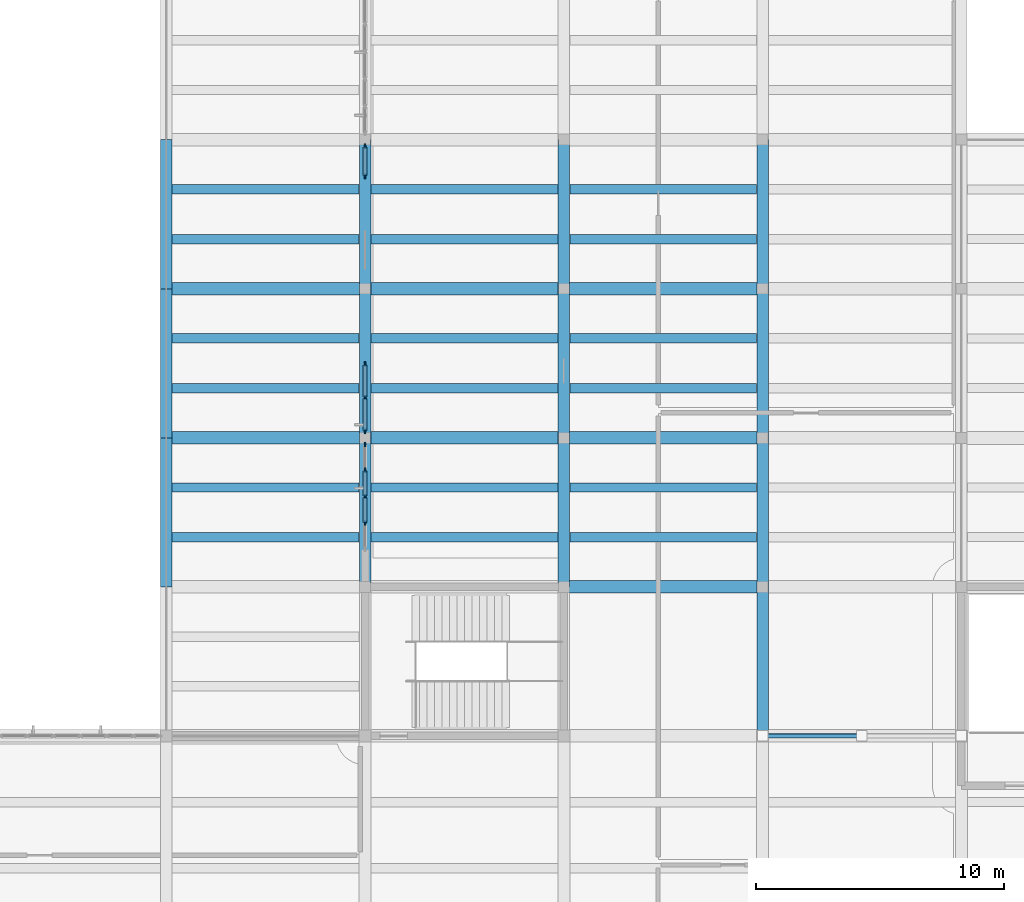
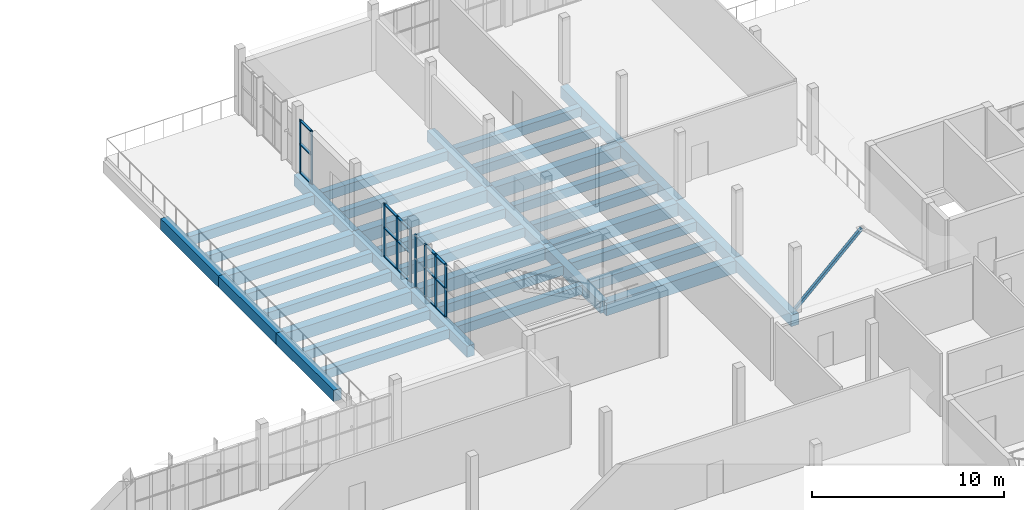
# One storey, part 20 of 70: 38 beams, 25 members, 3 elements without a shape of their own.
"""IFC4 building model written with IfcOpenShell, lengths in metres."""

from ifc_helpers import new_model, si_unit, direction, frame, origin, origin_2d, place, context, subcontext, project, spatial, rectangle, hollow_rectangle, extrude, material, layer, layer_set, material_profile, profile_set, type_object, element, aggregate, save


model = new_model("IFC4")

# Units and contexts
model_context = context("Model", 3, precision=1e-05, world=origin(), true_north=direction((0.0, 1.0)))
body_context = subcontext(model_context, "Body", "Model", "MODEL_VIEW")
ifc_project = project(units=[si_unit("LENGTHUNIT", "METRE"), si_unit("AREAUNIT", "SQUARE_METRE"), si_unit("VOLUMEUNIT", "CUBIC_METRE"), si_unit("PLANEANGLEUNIT", "RADIAN"), si_unit("MASSUNIT", "GRAM", prefix="KILO")], contexts=[model_context])

# Site, building, storey
site_placement = place(None, origin())
site = spatial("IfcSite", under=ifc_project, at=site_placement, CompositionType="ELEMENT")
building_placement = place(site_placement, origin())
building = spatial("IfcBuilding", under=site, at=building_placement, Name="Solvane Community Centre", CompositionType="ELEMENT")
storey_placement = place(building_placement, frame((0.0, 0.0, 9.60009765625)))
storey = spatial("IfcBuildingStorey", under=building, at=storey_placement, Name="L02", CompositionType="ELEMENT", Elevation=9.60009765625)

# Curtain wall, members
ifc_material_1 = material(Name="Anodised bronze aluminium AW-6063 T6", Category="aluminium")
ifc_layer_1 = layer(ifc_material_1, 0.18994140625)
ifc_layer_set_1 = layer_set([ifc_layer_1], Name="Anodised bronze aluminium AW-6063 T6")
curtain_wall_type_1 = type_object("IfcCurtainWallType", Name="Boulevard Bronze Vision Curtain Wall [43x33dm]", PredefinedType="NOTDEFINED", material=ifc_layer_set_1)
curtain_wall_1_placement = place(storey_placement, origin())
curtain_wall_1 = element("IfcCurtainWall", 1, at=curtain_wall_1_placement, inside=storey, type_object=curtain_wall_type_1, Name="Curtain Wall CW-L02-1160_375-196", PredefinedType="NOTDEFINED")
ifc_material_profile_1 = material_profile(ifc_material_1, rectangle(XDim=0.06005859375, YDim=0.18994140625, at=origin_2d()), Name="CW-M 60x190")
ifc_profile_set_1 = profile_set([ifc_material_profile_1], Name="Anodised bronze aluminium AW-6063 T6")
member_type_1 = type_object("IfcMemberType", Name="Boulevard Mullion 60x190", PredefinedType="MULLION", material=ifc_profile_set_1)
member_1_placement = place(storey_placement, frame((116.0, 38.566162109375, 0.0), z_axis=(0.0, 0.0, 1.0), x_axis=(-1.0, 0.0, 0.0)))
member_1 = element("IfcMember", 2, at=member_1_placement, type_object=member_type_1, Name="CW02-43x33 mullion 2", PredefinedType="MULLION", context=body_context, shape_type="SweptSolid", body=[
    extrude(rectangle(XDim=0.06005859375, YDim=0.18994140625, at=origin_2d()), origin(), (0.0, 0.0, 1.0), 3.344970703125),
])
member_2_placement = place(storey_placement, frame((116.0, 39.632568359375, 0.0), z_axis=(0.0, 0.0, 1.0), x_axis=(-1.0, 0.0, 0.0)))
member_2 = element("IfcMember", 3, at=member_2_placement, type_object=member_type_1, Name="CW02-43x33 mullion 3", PredefinedType="MULLION", context=body_context, shape_type="SweptSolid", body=[
    extrude(rectangle(XDim=0.06005859375, YDim=0.18994140625, at=origin_2d()), origin(), (0.0, 0.0, 1.0), 3.344970703125),
])
member_3_placement = place(storey_placement, frame((116.0, 40.69873046875, 0.0), z_axis=(0.0, 0.0, 1.0), x_axis=(-1.0, 0.0, 0.0)))
member_3 = element("IfcMember", 4, at=member_3_placement, type_object=member_type_1, Name="CW02-43x33 mullion 4", PredefinedType="MULLION", context=body_context, shape_type="SweptSolid", body=[
    extrude(rectangle(XDim=0.06005859375, YDim=0.18994140625, at=origin_2d()), origin(), (0.0, 0.0, 1.0), 3.344970703125),
])
member_4_placement = place(storey_placement, frame((116.0, 41.735107421875, 0.0), z_axis=(0.0, 0.0, 1.0), x_axis=(-1.0, 0.0, 0.0)))
member_4 = element("IfcMember", 5, at=member_4_placement, type_object=member_type_1, Name="CW02-43x33 mullion 5", PredefinedType="MULLION", context=body_context, shape_type="SweptSolid", body=[
    extrude(rectangle(XDim=0.06005859375, YDim=0.18994140625, at=origin_2d()), origin(), (0.0, 0.0, 1.0), 3.344970703125),
])

ifc_layer_2 = layer(ifc_material_1, 0.18994140625)
ifc_layer_set_2 = layer_set([ifc_layer_2], Name="Anodised bronze aluminium AW-6063 T6")
curtain_wall_type_2 = type_object("IfcCurtainWallType", Name="Boulevard Bronze Vision Curtain Wall [28x33dm]", PredefinedType="NOTDEFINED", material=ifc_layer_set_2)
curtain_wall_2_placement = place(storey_placement, origin())
curtain_wall_2 = element("IfcCurtainWall", 6, at=curtain_wall_2_placement, inside=storey, type_object=curtain_wall_type_2, Name="Curtain Wall CW-L02-1160_422-197", PredefinedType="NOTDEFINED")
member_5_placement = place(storey_placement, frame((116.0, 42.264892578125, 0.0), z_axis=(0.0, 0.0, 1.0), x_axis=(-1.0, 0.0, 0.0)))
member_5 = element("IfcMember", 7, at=member_5_placement, type_object=member_type_1, Name="CW02-28x33 mullion 1", PredefinedType="MULLION", context=body_context, shape_type="SweptSolid", body=[
    extrude(rectangle(XDim=0.06005859375, YDim=0.18994140625, at=origin_2d()), origin(), (0.0, 0.0, 1.0), 3.344970703125),
])
member_6_placement = place(storey_placement, frame((116.0, 43.617431640625, 0.0), z_axis=(0.0, 0.0, 1.0), x_axis=(-1.0, 0.0, 0.0)))
member_6 = element("IfcMember", 8, at=member_6_placement, type_object=member_type_1, Name="CW02-28x33 mullion 2", PredefinedType="MULLION", context=body_context, shape_type="SweptSolid", body=[
    extrude(rectangle(XDim=0.06005859375, YDim=0.18994140625, at=origin_2d()), origin(), (0.0, 0.0, 1.0), 3.344970703125),
])
member_7_placement = place(storey_placement, frame((116.0, 44.969970703125, 0.0), z_axis=(0.0, 0.0, 1.0), x_axis=(-1.0, 0.0, 0.0)))
member_7 = element("IfcMember", 9, at=member_7_placement, type_object=member_type_1, Name="CW02-28x33 mullion 3", PredefinedType="MULLION", context=body_context, shape_type="SweptSolid", body=[
    extrude(rectangle(XDim=0.06005859375, YDim=0.18994140625, at=origin_2d()), origin(), (0.0, 0.0, 1.0), 3.344970703125),
])

ifc_layer_3 = layer(ifc_material_1, 0.18994140625)
ifc_layer_set_3 = layer_set([ifc_layer_3], Name="Anodised bronze aluminium AW-6063 T6")
curtain_wall_type_3 = type_object("IfcCurtainWallType", Name="Boulevard Bronze Vision Curtain Wall [13x33dm]", PredefinedType="NOTDEFINED", material=ifc_layer_set_3)
curtain_wall_3_placement = place(storey_placement, origin())
curtain_wall_3 = element("IfcCurtainWall", 10, at=curtain_wall_3_placement, inside=storey, type_object=curtain_wall_type_3, Name="Curtain Wall CW-L02-1160_525-198", PredefinedType="NOTDEFINED")
member_8_placement = place(storey_placement, frame((116.0, 52.530029296875, 0.0), z_axis=(0.0, 0.0, 1.0), x_axis=(-1.0, 0.0, 0.0)))
member_8 = element("IfcMember", 11, at=member_8_placement, type_object=member_type_1, Name="CW02-13x33 mullion 1", PredefinedType="MULLION", context=body_context, shape_type="SweptSolid", body=[
    extrude(rectangle(XDim=0.06005859375, YDim=0.18994140625, at=origin_2d()), origin(), (0.0, 0.0, 1.0), 3.344970703125),
])
member_9_placement = place(storey_placement, frame((116.0, 53.735107421875, 0.0), z_axis=(0.0, 0.0, 1.0), x_axis=(-1.0, 0.0, 0.0)))
member_9 = element("IfcMember", 12, at=member_9_placement, type_object=member_type_1, Name="CW02-13x33 mullion 2", PredefinedType="MULLION", context=body_context, shape_type="SweptSolid", body=[
    extrude(rectangle(XDim=0.06005859375, YDim=0.18994140625, at=origin_2d()), origin(), (0.0, 0.0, 1.0), 3.344970703125),
])

# Member
ifc_material_profile_2 = material_profile(ifc_material_1, rectangle(XDim=0.14990234375, YDim=0.06005859375, at=origin_2d()), Name="CW-T 60x150")
ifc_profile_set_2 = profile_set([ifc_material_profile_2], Name="Anodised bronze aluminium AW-6063 T6")
member_type_2 = type_object("IfcMemberType", Name="Boulevard Transom 60x150", PredefinedType="USERDEFINED", material=ifc_profile_set_2)
member_10_placement = place(storey_placement, frame((116.0, 38.59619140625, 0.02978515625), z_axis=(0.0, 1.0, 0.0), x_axis=(-1.0, 0.0, 0.0)))
member_10 = element("IfcMember", 13, at=member_10_placement, type_object=member_type_2, Name="CW02-43x33 transom 2.1", ObjectType="TRANSOM", PredefinedType="USERDEFINED", context=body_context, shape_type="SweptSolid", body=[
    extrude(rectangle(XDim=0.14990234375, YDim=0.06005859375, at=origin_2d()), origin(), (0.0, 0.0, 1.0), 1.00634765625),
])

member_11_placement = place(storey_placement, frame((116.0, 38.59619140625, 1.83984375), z_axis=(0.0, 1.0, 0.0), x_axis=(-1.0, 0.0, 0.0)))
member_11 = element("IfcMember", 14, at=member_11_placement, type_object=member_type_2, Name="CW02-43x33 transom 2.2", ObjectType="TRANSOM", PredefinedType="USERDEFINED", context=body_context, shape_type="SweptSolid", body=[
    extrude(rectangle(XDim=0.14990234375, YDim=0.06005859375, at=origin_2d()), origin(), (0.0, 0.0, 1.0), 1.00634765625),
])

member_12_placement = place(storey_placement, frame((116.0, 38.59619140625, 3.31494140625), z_axis=(0.0, 1.0, 0.0), x_axis=(-1.0, 0.0, 0.0)))
member_12 = element("IfcMember", 15, at=member_12_placement, type_object=member_type_2, Name="CW02-43x33 transom 2.3", ObjectType="TRANSOM", PredefinedType="USERDEFINED", context=body_context, shape_type="SweptSolid", body=[
    extrude(rectangle(XDim=0.14990234375, YDim=0.06005859375, at=origin_2d()), origin(), (0.0, 0.0, 1.0), 1.00634765625),
])

member_13_placement = place(storey_placement, frame((116.0, 39.66259765625, 0.02978515625), z_axis=(0.0, 1.0, 0.0), x_axis=(-1.0, 0.0, 0.0)))
member_13 = element("IfcMember", 16, at=member_13_placement, type_object=member_type_2, Name="CW02-43x33 transom 3.1", ObjectType="TRANSOM", PredefinedType="USERDEFINED", context=body_context, shape_type="SweptSolid", body=[
    extrude(rectangle(XDim=0.14990234375, YDim=0.06005859375, at=origin_2d()), origin(), (0.0, 0.0, 1.0), 1.006103515625),
])

member_14_placement = place(storey_placement, frame((116.0, 39.66259765625, 1.83984375), z_axis=(0.0, 1.0, 0.0), x_axis=(-1.0, 0.0, 0.0)))
member_14 = element("IfcMember", 17, at=member_14_placement, type_object=member_type_2, Name="CW02-43x33 transom 3.2", ObjectType="TRANSOM", PredefinedType="USERDEFINED", context=body_context, shape_type="SweptSolid", body=[
    extrude(rectangle(XDim=0.14990234375, YDim=0.06005859375, at=origin_2d()), origin(), (0.0, 0.0, 1.0), 1.006103515625),
])

member_15_placement = place(storey_placement, frame((116.0, 39.66259765625, 3.31494140625), z_axis=(0.0, 1.0, 0.0), x_axis=(-1.0, 0.0, 0.0)))
member_15 = element("IfcMember", 18, at=member_15_placement, type_object=member_type_2, Name="CW02-43x33 transom 3.3", ObjectType="TRANSOM", PredefinedType="USERDEFINED", context=body_context, shape_type="SweptSolid", body=[
    extrude(rectangle(XDim=0.14990234375, YDim=0.06005859375, at=origin_2d()), origin(), (0.0, 0.0, 1.0), 1.006103515625),
])

aggregate(curtain_wall_1, [member_1, member_2, member_3, member_4, member_10, member_11, member_12, member_13, member_14, member_15])

member_16_placement = place(storey_placement, frame((116.0, 42.294921875, 0.02978515625), z_axis=(0.0, 1.0, 0.0), x_axis=(-1.0, 0.0, 0.0)))
member_16 = element("IfcMember", 19, at=member_16_placement, type_object=member_type_2, Name="CW02-28x33 transom 1.1", ObjectType="TRANSOM", PredefinedType="USERDEFINED", context=body_context, shape_type="SweptSolid", body=[
    extrude(rectangle(XDim=0.14990234375, YDim=0.06005859375, at=origin_2d()), origin(), (0.0, 0.0, 1.0), 1.29248046875),
])

member_17_placement = place(storey_placement, frame((116.0, 42.294921875, 1.83984375), z_axis=(0.0, 1.0, 0.0), x_axis=(-1.0, 0.0, 0.0)))
member_17 = element("IfcMember", 20, at=member_17_placement, type_object=member_type_2, Name="CW02-28x33 transom 1.2", ObjectType="TRANSOM", PredefinedType="USERDEFINED", context=body_context, shape_type="SweptSolid", body=[
    extrude(rectangle(XDim=0.14990234375, YDim=0.06005859375, at=origin_2d()), origin(), (0.0, 0.0, 1.0), 1.29248046875),
])

member_18_placement = place(storey_placement, frame((116.0, 42.294921875, 3.31494140625), z_axis=(0.0, 1.0, 0.0), x_axis=(-1.0, 0.0, 0.0)))
member_18 = element("IfcMember", 21, at=member_18_placement, type_object=member_type_2, Name="CW02-28x33 transom 1.3", ObjectType="TRANSOM", PredefinedType="USERDEFINED", context=body_context, shape_type="SweptSolid", body=[
    extrude(rectangle(XDim=0.14990234375, YDim=0.06005859375, at=origin_2d()), origin(), (0.0, 0.0, 1.0), 1.29248046875),
])

member_19_placement = place(storey_placement, frame((116.0, 43.6474609375, 0.02978515625), z_axis=(0.0, 1.0, 0.0), x_axis=(-1.0, 0.0, 0.0)))
member_19 = element("IfcMember", 22, at=member_19_placement, type_object=member_type_2, Name="CW02-28x33 transom 2.1", ObjectType="TRANSOM", PredefinedType="USERDEFINED", context=body_context, shape_type="SweptSolid", body=[
    extrude(rectangle(XDim=0.14990234375, YDim=0.06005859375, at=origin_2d()), origin(), (0.0, 0.0, 1.0), 1.29248046875),
])

member_20_placement = place(storey_placement, frame((116.0, 43.6474609375, 1.83984375), z_axis=(0.0, 1.0, 0.0), x_axis=(-1.0, 0.0, 0.0)))
member_20 = element("IfcMember", 23, at=member_20_placement, type_object=member_type_2, Name="CW02-28x33 transom 2.2", ObjectType="TRANSOM", PredefinedType="USERDEFINED", context=body_context, shape_type="SweptSolid", body=[
    extrude(rectangle(XDim=0.14990234375, YDim=0.06005859375, at=origin_2d()), origin(), (0.0, 0.0, 1.0), 1.29248046875),
])

member_21_placement = place(storey_placement, frame((116.0, 43.6474609375, 3.31494140625), z_axis=(0.0, 1.0, 0.0), x_axis=(-1.0, 0.0, 0.0)))
member_21 = element("IfcMember", 24, at=member_21_placement, type_object=member_type_2, Name="CW02-28x33 transom 2.3", ObjectType="TRANSOM", PredefinedType="USERDEFINED", context=body_context, shape_type="SweptSolid", body=[
    extrude(rectangle(XDim=0.14990234375, YDim=0.06005859375, at=origin_2d()), origin(), (0.0, 0.0, 1.0), 1.29248046875),
])

aggregate(curtain_wall_2, [member_5, member_6, member_7, member_16, member_17, member_18, member_19, member_20, member_21])

member_22_placement = place(storey_placement, frame((116.0, 52.56005859375, 0.02978515625), z_axis=(0.0, 1.0, 0.0), x_axis=(-1.0, 0.0, 0.0)))
member_22 = element("IfcMember", 25, at=member_22_placement, type_object=member_type_2, Name="CW02-13x33 transom 1.1", ObjectType="TRANSOM", PredefinedType="USERDEFINED", context=body_context, shape_type="SweptSolid", body=[
    extrude(rectangle(XDim=0.14990234375, YDim=0.06005859375, at=origin_2d()), origin(), (0.0, 0.0, 1.0), 1.14501953125),
])

member_23_placement = place(storey_placement, frame((116.0, 52.56005859375, 1.83984375), z_axis=(0.0, 1.0, 0.0), x_axis=(-1.0, 0.0, 0.0)))
member_23 = element("IfcMember", 26, at=member_23_placement, type_object=member_type_2, Name="CW02-13x33 transom 1.2", ObjectType="TRANSOM", PredefinedType="USERDEFINED", context=body_context, shape_type="SweptSolid", body=[
    extrude(rectangle(XDim=0.14990234375, YDim=0.06005859375, at=origin_2d()), origin(), (0.0, 0.0, 1.0), 1.14501953125),
])

member_24_placement = place(storey_placement, frame((116.0, 52.56005859375, 3.31494140625), z_axis=(0.0, 1.0, 0.0), x_axis=(-1.0, 0.0, 0.0)))
member_24 = element("IfcMember", 27, at=member_24_placement, type_object=member_type_2, Name="CW02-13x33 transom 1.3", ObjectType="TRANSOM", PredefinedType="USERDEFINED", context=body_context, shape_type="SweptSolid", body=[
    extrude(rectangle(XDim=0.14990234375, YDim=0.06005859375, at=origin_2d()), origin(), (0.0, 0.0, 1.0), 1.14501953125),
])

aggregate(curtain_wall_3, [member_8, member_9, member_22, member_23, member_24])

# Beams
ifc_material_2 = material(Name="Concrete C35/45", Category="concrete")
ifc_material_profile_3 = material_profile(ifc_material_2, rectangle(XDim=0.4599609375, YDim=0.719970703125, at=origin_2d()), Name="RC 460x720")
ifc_profile_set_3 = profile_set([ifc_material_profile_3], Name="Concrete C35/45")
beam_type_1 = type_object("IfcBeamType", Name="RC Cloister Beam 460x720", PredefinedType="BEAM", material=ifc_profile_set_3)
for number, where, z_axis, x_axis, name in (
    (28, (108.0, 36.0, -0.580078125), (0.0, 1.0, 0.0), (-1.0, 0.0, 0.0), "Beam BM-L02-1080_360-1080_420"),
    (29, (108.0, 42.0, -0.580078125), (0.0, 1.0, 0.0), (-1.0, 0.0, 0.0), "Beam BM-L02-1080_420-1080_480"),
    (30, (108.0, 48.0, -0.580078125), (0.0, 1.0, 0.0), (-1.0, 0.0, 0.0), "Beam BM-L02-1080_480-1080_540"),
    (31, (116.0, 36.0, -0.580078125), (0.0, 1.0, 0.0), (-1.0, 0.0, 0.0), "Beam BM-L02-1160_360-1160_420"),
    (32, (116.0, 42.0, -0.580078125), (0.0, 1.0, 0.0), (-1.0, 0.0, 0.0), "Beam BM-L02-1160_420-1160_480"),
    (33, (116.0, 48.0, -0.580078125), (0.0, 1.0, 0.0), (-1.0, 0.0, 0.0), "Beam BM-L02-1160_480-1160_540"),
    (34, (124.0, 36.0, -0.580078125), (0.0, 1.0, 0.0), (-1.0, 0.0, 0.0), "Beam BM-L02-1240_360-1240_420"),
    (35, (124.0, 42.0, -0.580078125), (0.0, 1.0, 0.0), (-1.0, 0.0, 0.0), "Beam BM-L02-1240_420-1240_480"),
    (36, (124.0, 48.0, -0.580078125), (0.0, 1.0, 0.0), (-1.0, 0.0, 0.0), "Beam BM-L02-1240_480-1240_540"),
    (37, (132.0, 30.0, -0.580078125), (0.0, 1.0, 0.0), (-1.0, 0.0, 0.0), "Beam BM-L02-1320_300-1320_360"),
    (38, (132.0, 36.0, -0.580078125), (0.0, 1.0, 0.0), (-1.0, 0.0, 0.0), "Beam BM-L02-1320_360-1320_420"),
    (39, (132.0, 42.0, -0.580078125), (0.0, 1.0, 0.0), (-1.0, 0.0, 0.0), "Beam BM-L02-1320_420-1320_480"),
    (40, (132.0, 48.0, -0.580078125), (0.0, 1.0, 0.0), (-1.0, 0.0, 0.0), "Beam BM-L02-1320_480-1320_540"),
):
    element("IfcBeam", number, at=place(storey_placement, frame(where, z_axis=z_axis, x_axis=x_axis)), inside=storey, type_object=beam_type_1, Name=name, PredefinedType="BEAM", context=body_context, shape_type="SweptSolid", body=[
        extrude(rectangle(XDim=0.4599609375, YDim=0.719970703125, at=origin_2d()), origin(), (0.0, 0.0, 1.0), 6.0),
    ])
ifc_material_profile_4 = material_profile(ifc_material_2, rectangle(XDim=0.5, YDim=0.800048828125, at=origin_2d()), Name="RC 500x800")
ifc_profile_set_4 = profile_set([ifc_material_profile_4], Name="Concrete C35/45")
beam_type_2 = type_object("IfcBeamType", Name="RC Primary Girder 500x800", PredefinedType="USERDEFINED", material=ifc_profile_set_4)
for number, where, z_axis, x_axis, name in (
    (41, (124.0, 36.0, -0.6201171875), (1.0, 0.0, 0.0), (0.0, 1.0, 0.0), "Beam BM-L02-1240_360-1320_360"),
    (42, (108.0, 42.0, -0.6201171875), (1.0, 0.0, 0.0), (0.0, 1.0, 0.0), "Beam BM-L02-1080_420-1160_420"),
    (43, (116.0, 42.0, -0.6201171875), (1.0, 0.0, 0.0), (0.0, 1.0, 0.0), "Beam BM-L02-1160_420-1240_420"),
    (44, (124.0, 42.0, -0.6201171875), (1.0, 0.0, 0.0), (0.0, 1.0, 0.0), "Beam BM-L02-1240_420-1320_420"),
    (45, (108.0, 48.0, -0.6201171875), (1.0, 0.0, 0.0), (0.0, 1.0, 0.0), "Beam BM-L02-1080_480-1160_480"),
    (46, (116.0, 48.0, -0.6201171875), (1.0, 0.0, 0.0), (0.0, 1.0, 0.0), "Beam BM-L02-1160_480-1240_480"),
    (47, (124.0, 48.0, -0.6201171875), (1.0, 0.0, 0.0), (0.0, 1.0, 0.0), "Beam BM-L02-1240_480-1320_480"),
):
    element("IfcBeam", number, at=place(storey_placement, frame(where, z_axis=z_axis, x_axis=x_axis)), inside=storey, type_object=beam_type_2, Name=name, ObjectType="GIRDER", PredefinedType="USERDEFINED", context=body_context, shape_type="SweptSolid", body=[
        extrude(rectangle(XDim=0.5, YDim=0.800048828125, at=origin_2d()), origin(), (0.0, 0.0, 1.0), 8.0),
    ])
ifc_material_profile_5 = material_profile(ifc_material_2, rectangle(XDim=0.3798828125, YDim=0.580078125, at=origin_2d()), Name="RC 380x580")
ifc_profile_set_5 = profile_set([ifc_material_profile_5], Name="Concrete C35/45")
beam_type_3 = type_object("IfcBeamType", Name="RC Short Joist 380x580", PredefinedType="JOIST", material=ifc_profile_set_5)
for number, where, z_axis, x_axis, name in (
    (48, (108.239990234375, 38.0, -0.510009765625), (1.0, 0.0, 0.0), (0.0, 1.0, 0.0), "Beam BM-L02-1082_380-1158_380"),
    (49, (108.239990234375, 40.0, -0.510009765625), (1.0, 0.0, 0.0), (0.0, 1.0, 0.0), "Beam BM-L02-1082_400-1158_400"),
    (50, (108.239990234375, 44.0, -0.510009765625), (1.0, 0.0, 0.0), (0.0, 1.0, 0.0), "Beam BM-L02-1082_440-1158_440"),
    (51, (108.239990234375, 46.0, -0.510009765625), (1.0, 0.0, 0.0), (0.0, 1.0, 0.0), "Beam BM-L02-1082_460-1158_460"),
    (52, (108.239990234375, 50.0, -0.510009765625), (1.0, 0.0, 0.0), (0.0, 1.0, 0.0), "Beam BM-L02-1082_500-1158_500"),
    (53, (108.239990234375, 52.0, -0.510009765625), (1.0, 0.0, 0.0), (0.0, 1.0, 0.0), "Beam BM-L02-1082_520-1158_520"),
    (54, (116.239990234375, 38.0, -0.510009765625), (1.0, 0.0, 0.0), (0.0, 1.0, 0.0), "Beam BM-L02-1162_380-1238_380"),
    (55, (116.239990234375, 40.0, -0.510009765625), (1.0, 0.0, 0.0), (0.0, 1.0, 0.0), "Beam BM-L02-1162_400-1238_400"),
    (56, (116.239990234375, 44.0, -0.510009765625), (1.0, 0.0, 0.0), (0.0, 1.0, 0.0), "Beam BM-L02-1162_440-1238_440"),
    (57, (116.239990234375, 46.0, -0.510009765625), (1.0, 0.0, 0.0), (0.0, 1.0, 0.0), "Beam BM-L02-1162_460-1238_460"),
    (58, (116.239990234375, 50.0, -0.510009765625), (1.0, 0.0, 0.0), (0.0, 1.0, 0.0), "Beam BM-L02-1162_500-1238_500"),
    (59, (116.239990234375, 52.0, -0.510009765625), (1.0, 0.0, 0.0), (0.0, 1.0, 0.0), "Beam BM-L02-1162_520-1238_520"),
    (60, (124.239990234375, 38.0, -0.510009765625), (1.0, 0.0, 0.0), (0.0, 1.0, 0.0), "Beam BM-L02-1242_380-1318_380"),
    (61, (124.239990234375, 40.0, -0.510009765625), (1.0, 0.0, 0.0), (0.0, 1.0, 0.0), "Beam BM-L02-1242_400-1318_400"),
    (62, (124.239990234375, 44.0, -0.510009765625), (1.0, 0.0, 0.0), (0.0, 1.0, 0.0), "Beam BM-L02-1242_440-1318_440"),
    (63, (124.239990234375, 46.0, -0.510009765625), (1.0, 0.0, 0.0), (0.0, 1.0, 0.0), "Beam BM-L02-1242_460-1318_460"),
    (64, (124.239990234375, 50.0, -0.510009765625), (1.0, 0.0, 0.0), (0.0, 1.0, 0.0), "Beam BM-L02-1242_500-1318_500"),
    (65, (124.239990234375, 52.0, -0.510009765625), (1.0, 0.0, 0.0), (0.0, 1.0, 0.0), "Beam BM-L02-1242_520-1318_520"),
):
    element("IfcBeam", number, at=place(storey_placement, frame(where, z_axis=z_axis, x_axis=x_axis)), inside=storey, type_object=beam_type_3, Name=name, PredefinedType="JOIST", context=body_context, shape_type="SweptSolid", body=[
        extrude(rectangle(XDim=0.3798828125, YDim=0.580078125, at=origin_2d()), origin(), (0.0, 0.0, 1.0), 7.52001953125),
    ])

# Member
ifc_material_3 = material(Name="Steel ASTM A572 Grade 50", Category="steel")
ifc_material_profile_6 = material_profile(ifc_material_3, hollow_rectangle(XDim=0.177734375, YDim=0.177734375, WallThickness=0.009521484375, InnerFilletRadius=0.009521484375, OuterFilletRadius=0.01904296875, at=origin_2d()), Name="HSS 178x178x9.5")
ifc_profile_set_6 = profile_set([ifc_material_profile_6], Name="Steel ASTM A572 Grade 50")
member_type_3 = type_object("IfcMemberType", Name="Upper Timber Frame Brace HSS178", PredefinedType="BRACE", material=ifc_profile_set_6)
member_25_placement = place(storey_placement, frame((132.0, 30.0, 0.119873046875), z_axis=(0.730448607788, 0.0, 0.68296766496), x_axis=(0.0, 1.0, 0.0)))
element("IfcMember", 66, at=member_25_placement, inside=storey, type_object=member_type_3, Name="Member MEM-L02-0384", PredefinedType="BRACE", context=body_context, shape_type="SweptSolid", body=[
    extrude(hollow_rectangle(XDim=0.177734375, YDim=0.177734375, WallThickness=0.009521484375, InnerFilletRadius=0.009521484375, OuterFilletRadius=0.01904296875, at=origin_2d()), origin(), (0.0, 0.0, 1.0), 5.47607421875),
])

save(model, "model.ifc")
